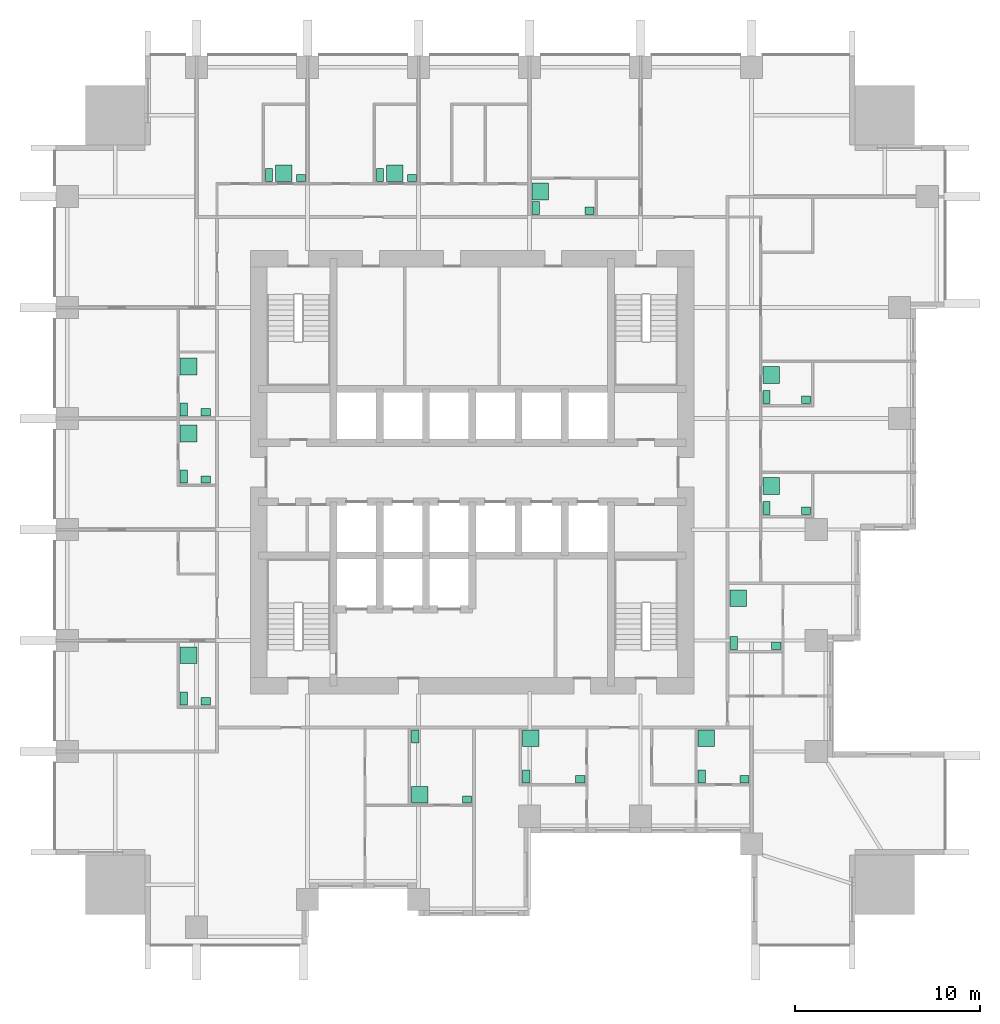
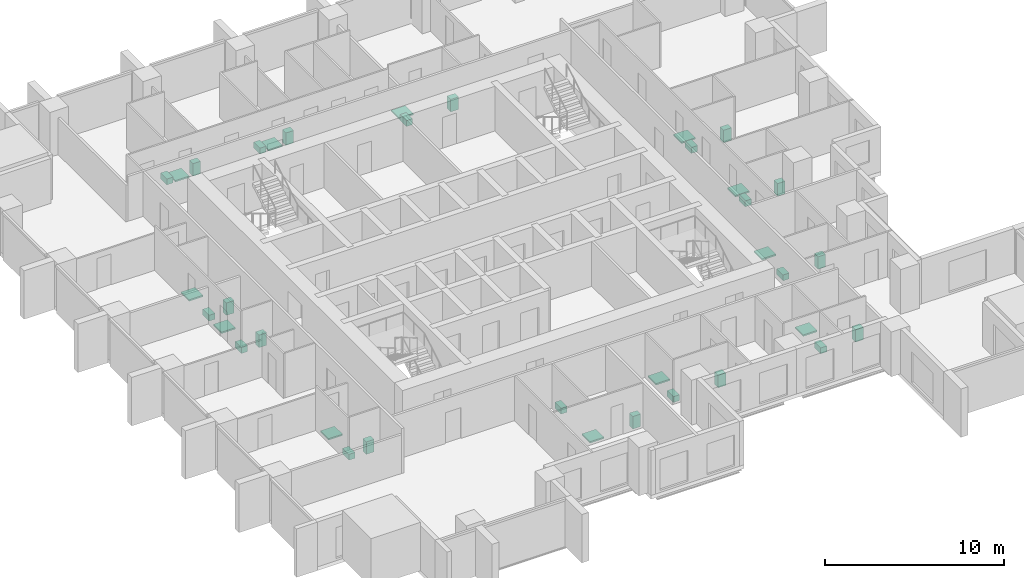
# One storey, part 10 of 10: 36 sanitary terminals.
"""IFC4 building model written with IfcOpenShell, lengths in metres."""

import ifcopenshell
import ifcopenshell.guid

model = None  # the IFC model being written
_history = None  # IfcOwnerHistory: only IFC2X3 demands one
_inside = {}  # id of a spatial element -> (the spatial element, [elements in it])
_under = {}  # id of a project, library or spatial element -> (it, [spatial elements below it])
_declared = {}  # id of a project -> (the project, [libraries it declares])
_typed = {}  # id of a type object -> (the type object, [elements of that type])
_made_of = {}  # id of a material, layer set ... -> (it, [elements and type objects made of it])


def new_model(schema):
    """Start an empty IFC model of exactly this schema.

    Asked for "IFC4X3", IfcOpenShell would pick the latest addendum, in which some entities
    have other attributes; the version numbers below select the first issue.
    IFC2X3 requires an IfcOwnerHistory on every rooted entity: one is made here for all.
    """
    global model, _history
    if schema == "IFC4X3":
        model = ifcopenshell.file(schema_version=(4, 3, 0, 0))
    else:
        model = ifcopenshell.file(schema=schema)
    _inside.clear()
    _under.clear()
    _declared.clear()
    _typed.clear()
    _made_of.clear()
    _history = None
    if model.schema == "IFC2X3":
        org = make("IfcOrganization", Name="unknown")
        user = make(
            "IfcPersonAndOrganization",
            ThePerson=make("IfcPerson", FamilyName="unknown"),
            TheOrganization=org,
        )
        app = make(
            "IfcApplication",
            ApplicationDeveloper=org,
            Version="unknown",
            ApplicationFullName="unknown",
            ApplicationIdentifier="unknown",
        )
        _history = make(
            "IfcOwnerHistory",
            OwningUser=user,
            OwningApplication=app,
            ChangeAction="ADDED",
            CreationDate=0,
        )
    return model


def make(cls, **values):
    """One entity of the class cls with the attributes given. An attribute that is None is left unset."""
    return model.create_entity(
        cls, **{name: value for name, value in values.items() if value is not None}
    )


def rooted(cls, **values):
    """An entity with a GlobalId (a new one), such as an element, a storey or a relation."""
    return make(cls, GlobalId=ifcopenshell.guid.new(), OwnerHistory=_history, **values)


def si_unit(unit_type, name, prefix=None):
    """IfcSIUnit, for example si_unit("LENGTHUNIT", "METRE", prefix="MILLI")."""
    return make("IfcSIUnit", UnitType=unit_type, Prefix=prefix, Name=name)


def assignment(units):
    """IfcUnitAssignment: the units of a project."""
    return None if units is None else make("IfcUnitAssignment", Units=units)


def point(xyz):
    """IfcCartesianPoint."""
    return None if xyz is None else make("IfcCartesianPoint", Coordinates=xyz)


def direction(xyz):
    """IfcDirection."""
    return None if xyz is None else make("IfcDirection", DirectionRatios=xyz)


def frame(location, z_axis=None, x_axis=None):
    """IfcAxis2Placement3D, a coordinate frame: its origin and axes. An axis left out is left unset."""
    return make(
        "IfcAxis2Placement3D",
        Location=point(location),
        Axis=direction(z_axis),
        RefDirection=direction(x_axis),
    )


def frame_2d(location, x_axis=None):
    """IfcAxis2Placement2D, a coordinate frame in the plane: its origin and x axis."""
    return make(
        "IfcAxis2Placement2D", Location=point(location), RefDirection=direction(x_axis)
    )


def origin():
    """The frame at (0, 0, 0) with its axes left unset."""
    return frame((0.0, 0.0, 0.0))


def origin_2d():
    """The frame at (0, 0) in the plane with its x axis left unset."""
    return frame_2d((0.0, 0.0))


def place(relative_to, where):
    """IfcLocalPlacement: puts the frame where relative to a parent placement (None: the world)."""
    return make(
        "IfcLocalPlacement", PlacementRelTo=relative_to, RelativePlacement=where
    )


def context(
    kind, dimensions, precision=None, world=None, true_north=None, identifier=None
):
    """IfcGeometricRepresentationContext, for example the 3D "Model" context."""
    return make(
        "IfcGeometricRepresentationContext",
        ContextIdentifier=identifier,
        ContextType=kind,
        CoordinateSpaceDimension=dimensions,
        Precision=precision,
        WorldCoordinateSystem=world,
        TrueNorth=true_north,
    )


def subcontext(parent, identifier, kind, view, scale=None):
    """IfcGeometricRepresentationSubContext, for example "Body" below "Model"."""
    return make(
        "IfcGeometricRepresentationSubContext",
        ContextIdentifier=identifier,
        ContextType=kind,
        ParentContext=parent,
        TargetScale=scale,
        TargetView=view,
    )


def project(units=None, contexts=None):
    """IfcProject with its units and contexts."""
    return rooted(
        "IfcProject",
        Name="project",
        RepresentationContexts=contexts,
        UnitsInContext=assignment(units),
    )


def spatial(cls, under=None, at=None, **own):
    """A site, building, storey or space (cls), placed at a placement, below another one or the project."""
    s = rooted(cls, ObjectPlacement=at, **own)
    if under is not None:
        _under.setdefault(under.id(), (under, []))[1].append(s)
    return s


def profile(cls, at=None, kind="AREA", **sizes):
    """A parametric profile (cls). Its sizes go by their IFC names, for example OverallWidth=200.0."""
    return make(cls, ProfileType=kind, Position=at, **sizes)


def rectangle(**sizes):
    """IfcRectangleProfileDef."""
    return profile("IfcRectangleProfileDef", **sizes)


def extrude(swept, where, along, depth):
    """IfcExtrudedAreaSolid: the profile swept, set in the frame where, extruded along a direction by depth."""
    return make(
        "IfcExtrudedAreaSolid",
        SweptArea=swept,
        Position=where,
        ExtrudedDirection=direction(along),
        Depth=depth,
    )


def shape(context_of_items, identifier, shape_type, items):
    """IfcShapeRepresentation: the items that make up one representation, for example the "Body"."""
    return make(
        "IfcShapeRepresentation",
        ContextOfItems=context_of_items,
        RepresentationIdentifier=identifier,
        RepresentationType=shape_type,
        Items=items,
    )


def made_of(thing, what):
    """Note that an element or type object is made of a material, layer set ...; save() writes the relation."""
    if what is not None:
        _made_of.setdefault(what.id(), (what, []))[1].append(thing)
    return thing


def element(
    cls,
    number,
    at=None,
    inside=None,
    cuts=None,
    type_object=None,
    material=None,
    context=None,
    identifier="Body",
    shape_type=None,
    held_by="IfcProductDefinitionShape",
    body=None,
    shapes=None,
    **own,
):
    """One element of the class cls, such as IfcWall. Its Tag is "e" and its number.

    at: its placement. inside: the storey or other place that contains it. cuts: it is an
    opening in that element (IfcRelVoidsElement). A single representation is given by context,
    identifier, shape_type and body (its items); several are given by shapes. held_by: the class
    of the entity that holds the representations. save() writes the other relations.
    """
    e = rooted(cls, Tag="e%d" % number, ObjectPlacement=at, **own)
    if body is not None:
        shapes = [shape(context, identifier, shape_type, body)]
    if shapes is not None:
        e.Representation = make(held_by, Representations=shapes)
    if inside is not None:
        _inside.setdefault(inside.id(), (inside, []))[1].append(e)
    if cuts is not None:
        rooted(
            "IfcRelVoidsElement", RelatingBuildingElement=cuts, RelatedOpeningElement=e
        )
    if type_object is not None:
        _typed.setdefault(type_object.id(), (type_object, []))[1].append(e)
    return made_of(e, material)


def aggregate(whole, parts):
    """IfcRelAggregates: a whole, such as a stair, and the parts it consists of."""
    return rooted("IfcRelAggregates", RelatingObject=whole, RelatedObjects=parts)


def save(model, path):
    """Write the relations noted so far, then the file.

    IfcRelAggregates (storeys below a building ...), IfcRelContainedInSpatialStructure (elements
    in a storey), IfcRelDefinesByType, IfcRelAssociatesMaterial and IfcRelDeclares: one each for
    every whole, place, type object, material and project.
    """
    for whole, parts in _under.values():
        aggregate(whole, parts)
    for where, things in _inside.values():
        rooted(
            "IfcRelContainedInSpatialStructure",
            RelatedElements=things,
            RelatingStructure=where,
        )
    for kind, things in _typed.values():
        rooted("IfcRelDefinesByType", RelatedObjects=things, RelatingType=kind)
    for what, things in _made_of.values():
        rooted("IfcRelAssociatesMaterial", RelatedObjects=things, RelatingMaterial=what)
    for by, libraries in _declared.values():
        rooted("IfcRelDeclares", RelatingContext=by, RelatedDefinitions=libraries)
    model.write(path)


model = new_model("IFC4")

# Units and contexts
model_context = context("Model", 3, precision=1e-05, world=origin(), true_north=direction((0.0, 1.0)))
body_context = subcontext(model_context, "Body", "Model", "MODEL_VIEW")
ifc_project = project(units=[si_unit("LENGTHUNIT", "METRE"), si_unit("AREAUNIT", "SQUARE_METRE"), si_unit("VOLUMEUNIT", "CUBIC_METRE"), si_unit("PLANEANGLEUNIT", "RADIAN"), si_unit("MASSUNIT", "GRAM", prefix="KILO")], contexts=[model_context])

# Site, building, storey
site_placement = place(None, origin())
site = spatial("IfcSite", under=ifc_project, at=site_placement, CompositionType="ELEMENT")
building_placement = place(site_placement, origin())
building = spatial("IfcBuilding", under=site, at=building_placement, Name="Amberfall Residences", CompositionType="ELEMENT")
storey_placement = place(building_placement, frame((0.0, 0.0, 49.89990234375)))
storey = spatial("IfcBuildingStorey", under=building, at=storey_placement, Name="L13", CompositionType="ELEMENT", Elevation=49.89990234375)

# Sanitary terminals
sanitary_terminal_1_placement = place(storey_placement, frame((71.409912109375, 31.215087890625, 0.000244140625), z_axis=(0.0, 0.0, 1.0), x_axis=(1.0, 0.0, 0.0)))
element("IfcSanitaryTerminal", 1, at=sanitary_terminal_1_placement, inside=storey, Name="Water closet 1301", PredefinedType="TOILETPAN", context=body_context, shape_type="SweptSolid", body=[
    extrude(rectangle(XDim=0.39990234375, YDim=0.699951171875, at=origin_2d()), origin(), (0.0, 0.0, 1.0), 0.39990234375),
])
sanitary_terminal_2_placement = place(storey_placement, frame((74.215087890625, 27.81005859375, 0.0), z_axis=(0.0, 0.0, 1.0), x_axis=(1.0, 0.0, 0.0)))
element("IfcSanitaryTerminal", 2, at=sanitary_terminal_2_placement, inside=storey, Name="Basin 1301", PredefinedType="WASHHANDBASIN", context=body_context, shape_type="SweptSolid", body=[
    extrude(rectangle(XDim=0.5, YDim=0.39990234375, at=origin_2d()), origin(), (0.0, 0.0, 1.0), 0.85009765625),
])
sanitary_terminal_3_placement = place(storey_placement, frame((71.659912109375, 28.06005859375, 0.0), z_axis=(0.0, 0.0, 1.0), x_axis=(1.0, 0.0, 0.0)))
element("IfcSanitaryTerminal", 3, at=sanitary_terminal_3_placement, inside=storey, Name="Shower tray 1301", PredefinedType="SHOWER", context=body_context, shape_type="SweptSolid", body=[
    extrude(rectangle(XDim=0.89990234375, YDim=0.89990234375, at=origin_2d()), origin(), (0.0, 0.0, 1.0), 0.10009765625),
])
sanitary_terminal_4_placement = place(storey_placement, frame((77.409912109375, 29.06005859375, 0.000244140625), z_axis=(0.0, 0.0, 1.0), x_axis=(1.0, 0.0, 0.0)))
element("IfcSanitaryTerminal", 4, at=sanitary_terminal_4_placement, inside=storey, Name="Water closet 1302", PredefinedType="TOILETPAN", context=body_context, shape_type="SweptSolid", body=[
    extrude(rectangle(XDim=0.39990234375, YDim=0.699951171875, at=origin_2d()), origin(), (0.0, 0.0, 1.0), 0.39990234375),
])
sanitary_terminal_5_placement = place(storey_placement, frame((80.340087890625, 28.909912109375, 0.0), z_axis=(0.0, 0.0, 1.0), x_axis=(1.0, 0.0, 0.0)))
element("IfcSanitaryTerminal", 5, at=sanitary_terminal_5_placement, inside=storey, Name="Basin 1302", PredefinedType="WASHHANDBASIN", context=body_context, shape_type="SweptSolid", body=[
    extrude(rectangle(XDim=0.5, YDim=0.39990234375, at=origin_2d()), origin(), (0.0, 0.0, 1.0), 0.85009765625),
])
sanitary_terminal_6_placement = place(storey_placement, frame((77.659912109375, 31.114990234375, 0.0), z_axis=(0.0, 0.0, 1.0), x_axis=(1.0, 0.0, 0.0)))
element("IfcSanitaryTerminal", 6, at=sanitary_terminal_6_placement, inside=storey, Name="Shower tray 1302", PredefinedType="SHOWER", context=body_context, shape_type="SweptSolid", body=[
    extrude(rectangle(XDim=0.89990234375, YDim=0.89990234375, at=origin_2d()), origin(), (0.0, 0.0, 1.0), 0.10009765625),
])
sanitary_terminal_7_placement = place(storey_placement, frame((86.909912109375, 29.06005859375, 0.000244140625), z_axis=(0.0, 0.0, 1.0), x_axis=(1.0, 0.0, 0.0)))
element("IfcSanitaryTerminal", 7, at=sanitary_terminal_7_placement, inside=storey, Name="Water closet 1302", PredefinedType="TOILETPAN", context=body_context, shape_type="SweptSolid", body=[
    extrude(rectangle(XDim=0.39990234375, YDim=0.699951171875, at=origin_2d()), origin(), (0.0, 0.0, 1.0), 0.39990234375),
])
sanitary_terminal_8_placement = place(storey_placement, frame((89.215087890625, 28.909912109375, 0.0), z_axis=(0.0, 0.0, 1.0), x_axis=(1.0, 0.0, 0.0)))
element("IfcSanitaryTerminal", 8, at=sanitary_terminal_8_placement, inside=storey, Name="Basin 1302", PredefinedType="WASHHANDBASIN", context=body_context, shape_type="SweptSolid", body=[
    extrude(rectangle(XDim=0.5, YDim=0.39990234375, at=origin_2d()), origin(), (0.0, 0.0, 1.0), 0.85009765625),
])
sanitary_terminal_9_placement = place(storey_placement, frame((87.159912109375, 31.114990234375, 0.0), z_axis=(0.0, 0.0, 1.0), x_axis=(1.0, 0.0, 0.0)))
element("IfcSanitaryTerminal", 9, at=sanitary_terminal_9_placement, inside=storey, Name="Shower tray 1302", PredefinedType="SHOWER", context=body_context, shape_type="SweptSolid", body=[
    extrude(rectangle(XDim=0.89990234375, YDim=0.89990234375, at=origin_2d()), origin(), (0.0, 0.0, 1.0), 0.10009765625),
])
sanitary_terminal_10_placement = place(storey_placement, frame((88.635009765625, 36.260009765625, 0.000244140625), z_axis=(0.0, 0.0, 1.0), x_axis=(1.0, 0.0, 0.0)))
element("IfcSanitaryTerminal", 10, at=sanitary_terminal_10_placement, inside=storey, Name="Water closet 1303", PredefinedType="TOILETPAN", context=body_context, shape_type="SweptSolid", body=[
    extrude(rectangle(XDim=0.39990234375, YDim=0.699951171875, at=origin_2d()), origin(), (0.0, 0.0, 1.0), 0.39990234375),
])
sanitary_terminal_11_placement = place(storey_placement, frame((90.93994140625, 36.110107421875, 0.0), z_axis=(0.0, 0.0, 1.0), x_axis=(1.0, 0.0, 0.0)))
element("IfcSanitaryTerminal", 11, at=sanitary_terminal_11_placement, inside=storey, Name="Basin 1303", PredefinedType="WASHHANDBASIN", context=body_context, shape_type="SweptSolid", body=[
    extrude(rectangle(XDim=0.5, YDim=0.39990234375, at=origin_2d()), origin(), (0.0, 0.0, 1.0), 0.85009765625),
])
sanitary_terminal_12_placement = place(storey_placement, frame((88.885009765625, 38.6826171875, 0.0), z_axis=(0.0, 0.0, 1.0), x_axis=(1.0, 0.0, 0.0)))
element("IfcSanitaryTerminal", 12, at=sanitary_terminal_12_placement, inside=storey, Name="Shower tray 1303", PredefinedType="SHOWER", context=body_context, shape_type="SweptSolid", body=[
    extrude(rectangle(XDim=0.89990234375, YDim=0.89990234375, at=origin_2d()), origin(), (0.0, 0.0, 1.0), 0.10009765625),
])
sanitary_terminal_13_placement = place(storey_placement, frame((90.409912109375, 43.56005859375, 0.000244140625), z_axis=(0.0, 0.0, 1.0), x_axis=(1.0, 0.0, 0.0)))
element("IfcSanitaryTerminal", 13, at=sanitary_terminal_13_placement, inside=storey, Name="Water closet 1304", PredefinedType="TOILETPAN", context=body_context, shape_type="SweptSolid", body=[
    extrude(rectangle(XDim=0.39990234375, YDim=0.699951171875, at=origin_2d()), origin(), (0.0, 0.0, 1.0), 0.39990234375),
])
sanitary_terminal_14_placement = place(storey_placement, frame((92.5400390625, 43.409912109375, 0.0), z_axis=(0.0, 0.0, 1.0), x_axis=(1.0, 0.0, 0.0)))
element("IfcSanitaryTerminal", 14, at=sanitary_terminal_14_placement, inside=storey, Name="Basin 1304", PredefinedType="WASHHANDBASIN", context=body_context, shape_type="SweptSolid", body=[
    extrude(rectangle(XDim=0.5, YDim=0.39990234375, at=origin_2d()), origin(), (0.0, 0.0, 1.0), 0.85009765625),
])
sanitary_terminal_15_placement = place(storey_placement, frame((90.659912109375, 44.757080078125, 0.0), z_axis=(0.0, 0.0, 1.0), x_axis=(1.0, 0.0, 0.0)))
element("IfcSanitaryTerminal", 15, at=sanitary_terminal_15_placement, inside=storey, Name="Shower tray 1304", PredefinedType="SHOWER", context=body_context, shape_type="SweptSolid", body=[
    extrude(rectangle(XDim=0.89990234375, YDim=0.89990234375, at=origin_2d()), origin(), (0.0, 0.0, 1.0), 0.10009765625),
])
sanitary_terminal_16_placement = place(storey_placement, frame((90.409912109375, 49.56005859375, 0.000244140625), z_axis=(0.0, 0.0, 1.0), x_axis=(1.0, 0.0, 0.0)))
element("IfcSanitaryTerminal", 16, at=sanitary_terminal_16_placement, inside=storey, Name="Water closet 1304", PredefinedType="TOILETPAN", context=body_context, shape_type="SweptSolid", body=[
    extrude(rectangle(XDim=0.39990234375, YDim=0.699951171875, at=origin_2d()), origin(), (0.0, 0.0, 1.0), 0.39990234375),
])
sanitary_terminal_17_placement = place(storey_placement, frame((92.5400390625, 49.409912109375, 0.0), z_axis=(0.0, 0.0, 1.0), x_axis=(1.0, 0.0, 0.0)))
element("IfcSanitaryTerminal", 17, at=sanitary_terminal_17_placement, inside=storey, Name="Basin 1304", PredefinedType="WASHHANDBASIN", context=body_context, shape_type="SweptSolid", body=[
    extrude(rectangle(XDim=0.5, YDim=0.39990234375, at=origin_2d()), origin(), (0.0, 0.0, 1.0), 0.85009765625),
])
sanitary_terminal_18_placement = place(storey_placement, frame((90.659912109375, 50.757080078125, 0.0), z_axis=(0.0, 0.0, 1.0), x_axis=(1.0, 0.0, 0.0)))
element("IfcSanitaryTerminal", 18, at=sanitary_terminal_18_placement, inside=storey, Name="Shower tray 1304", PredefinedType="SHOWER", context=body_context, shape_type="SweptSolid", body=[
    extrude(rectangle(XDim=0.89990234375, YDim=0.89990234375, at=origin_2d()), origin(), (0.0, 0.0, 1.0), 0.10009765625),
])
sanitary_terminal_19_placement = place(storey_placement, frame((63.510009765625, 61.56005859375, 0.000244140625), z_axis=(0.0, 0.0, 1.0), x_axis=(1.0, 0.0, 0.0)))
element("IfcSanitaryTerminal", 19, at=sanitary_terminal_19_placement, inside=storey, Name="Water closet 1305", PredefinedType="TOILETPAN", context=body_context, shape_type="SweptSolid", body=[
    extrude(rectangle(XDim=0.39990234375, YDim=0.699951171875, at=origin_2d()), origin(), (0.0, 0.0, 1.0), 0.39990234375),
])
sanitary_terminal_20_placement = place(storey_placement, frame((65.239990234375, 61.409912109375, 0.0), z_axis=(0.0, 0.0, 1.0), x_axis=(1.0, 0.0, 0.0)))
element("IfcSanitaryTerminal", 20, at=sanitary_terminal_20_placement, inside=storey, Name="Basin 1305", PredefinedType="WASHHANDBASIN", context=body_context, shape_type="SweptSolid", body=[
    extrude(rectangle(XDim=0.5, YDim=0.39990234375, at=origin_2d()), origin(), (0.0, 0.0, 1.0), 0.85009765625),
])
sanitary_terminal_21_placement = place(storey_placement, frame((64.30859375, 61.659912109375, 0.0), z_axis=(0.0, 0.0, 1.0), x_axis=(1.0, 0.0, 0.0)))
element("IfcSanitaryTerminal", 21, at=sanitary_terminal_21_placement, inside=storey, Name="Shower tray 1305", PredefinedType="SHOWER", context=body_context, shape_type="SweptSolid", body=[
    extrude(rectangle(XDim=0.89990234375, YDim=0.89990234375, at=origin_2d()), origin(), (0.0, 0.0, 1.0), 0.10009765625),
])
sanitary_terminal_22_placement = place(storey_placement, frame((69.510009765625, 61.56005859375, 0.000244140625), z_axis=(0.0, 0.0, 1.0), x_axis=(1.0, 0.0, 0.0)))
element("IfcSanitaryTerminal", 22, at=sanitary_terminal_22_placement, inside=storey, Name="Water closet 1305", PredefinedType="TOILETPAN", context=body_context, shape_type="SweptSolid", body=[
    extrude(rectangle(XDim=0.39990234375, YDim=0.699951171875, at=origin_2d()), origin(), (0.0, 0.0, 1.0), 0.39990234375),
])
sanitary_terminal_23_placement = place(storey_placement, frame((71.239990234375, 61.409912109375, 0.0), z_axis=(0.0, 0.0, 1.0), x_axis=(1.0, 0.0, 0.0)))
element("IfcSanitaryTerminal", 23, at=sanitary_terminal_23_placement, inside=storey, Name="Basin 1305", PredefinedType="WASHHANDBASIN", context=body_context, shape_type="SweptSolid", body=[
    extrude(rectangle(XDim=0.5, YDim=0.39990234375, at=origin_2d()), origin(), (0.0, 0.0, 1.0), 0.85009765625),
])
sanitary_terminal_24_placement = place(storey_placement, frame((70.30859375, 61.659912109375, 0.0), z_axis=(0.0, 0.0, 1.0), x_axis=(1.0, 0.0, 0.0)))
element("IfcSanitaryTerminal", 24, at=sanitary_terminal_24_placement, inside=storey, Name="Shower tray 1305", PredefinedType="SHOWER", context=body_context, shape_type="SweptSolid", body=[
    extrude(rectangle(XDim=0.89990234375, YDim=0.89990234375, at=origin_2d()), origin(), (0.0, 0.0, 1.0), 0.10009765625),
])
sanitary_terminal_25_placement = place(storey_placement, frame((77.93505859375, 59.784912109375, 0.000244140625), z_axis=(0.0, 0.0, 1.0), x_axis=(1.0, 0.0, 0.0)))
element("IfcSanitaryTerminal", 25, at=sanitary_terminal_25_placement, inside=storey, Name="Water closet 1306", PredefinedType="TOILETPAN", context=body_context, shape_type="SweptSolid", body=[
    extrude(rectangle(XDim=0.39990234375, YDim=0.699951171875, at=origin_2d()), origin(), (0.0, 0.0, 1.0), 0.39990234375),
])
sanitary_terminal_26_placement = place(storey_placement, frame((80.840087890625, 59.635009765625, 0.0), z_axis=(0.0, 0.0, 1.0), x_axis=(1.0, 0.0, 0.0)))
element("IfcSanitaryTerminal", 26, at=sanitary_terminal_26_placement, inside=storey, Name="Basin 1306", PredefinedType="WASHHANDBASIN", context=body_context, shape_type="SweptSolid", body=[
    extrude(rectangle(XDim=0.5, YDim=0.39990234375, at=origin_2d()), origin(), (0.0, 0.0, 1.0), 0.85009765625),
])
sanitary_terminal_27_placement = place(storey_placement, frame((78.18505859375, 60.680908203125, 0.0), z_axis=(0.0, 0.0, 1.0), x_axis=(1.0, 0.0, 0.0)))
element("IfcSanitaryTerminal", 27, at=sanitary_terminal_27_placement, inside=storey, Name="Shower tray 1306", PredefinedType="SHOWER", context=body_context, shape_type="SweptSolid", body=[
    extrude(rectangle(XDim=0.89990234375, YDim=0.89990234375, at=origin_2d()), origin(), (0.0, 0.0, 1.0), 0.10009765625),
])
sanitary_terminal_28_placement = place(storey_placement, frame((58.909912109375, 33.260009765625, 0.000244140625), z_axis=(0.0, 0.0, 1.0), x_axis=(1.0, 0.0, 0.0)))
element("IfcSanitaryTerminal", 28, at=sanitary_terminal_28_placement, inside=storey, Name="Water closet 1307", PredefinedType="TOILETPAN", context=body_context, shape_type="SweptSolid", body=[
    extrude(rectangle(XDim=0.39990234375, YDim=0.699951171875, at=origin_2d()), origin(), (0.0, 0.0, 1.0), 0.39990234375),
])
sanitary_terminal_29_placement = place(storey_placement, frame((60.089111328125, 33.110107421875, 0.0), z_axis=(0.0, 0.0, 1.0), x_axis=(1.0, 0.0, 0.0)))
element("IfcSanitaryTerminal", 29, at=sanitary_terminal_29_placement, inside=storey, Name="Basin 1307", PredefinedType="WASHHANDBASIN", context=body_context, shape_type="SweptSolid", body=[
    extrude(rectangle(XDim=0.5, YDim=0.39990234375, at=origin_2d()), origin(), (0.0, 0.0, 1.0), 0.85009765625),
])
sanitary_terminal_30_placement = place(storey_placement, frame((59.159912109375, 35.614501953125, 0.0), z_axis=(0.0, 0.0, 1.0), x_axis=(1.0, 0.0, 0.0)))
element("IfcSanitaryTerminal", 30, at=sanitary_terminal_30_placement, inside=storey, Name="Shower tray 1307", PredefinedType="SHOWER", context=body_context, shape_type="SweptSolid", body=[
    extrude(rectangle(XDim=0.89990234375, YDim=0.89990234375, at=origin_2d()), origin(), (0.0, 0.0, 1.0), 0.10009765625),
])
sanitary_terminal_31_placement = place(storey_placement, frame((58.909912109375, 45.260009765625, 0.000244140625), z_axis=(0.0, 0.0, 1.0), x_axis=(1.0, 0.0, 0.0)))
element("IfcSanitaryTerminal", 31, at=sanitary_terminal_31_placement, inside=storey, Name="Water closet 1307", PredefinedType="TOILETPAN", context=body_context, shape_type="SweptSolid", body=[
    extrude(rectangle(XDim=0.39990234375, YDim=0.699951171875, at=origin_2d()), origin(), (0.0, 0.0, 1.0), 0.39990234375),
])
sanitary_terminal_32_placement = place(storey_placement, frame((60.089111328125, 45.110107421875, 0.0), z_axis=(0.0, 0.0, 1.0), x_axis=(1.0, 0.0, 0.0)))
element("IfcSanitaryTerminal", 32, at=sanitary_terminal_32_placement, inside=storey, Name="Basin 1307", PredefinedType="WASHHANDBASIN", context=body_context, shape_type="SweptSolid", body=[
    extrude(rectangle(XDim=0.5, YDim=0.39990234375, at=origin_2d()), origin(), (0.0, 0.0, 1.0), 0.85009765625),
])
sanitary_terminal_33_placement = place(storey_placement, frame((59.159912109375, 47.591796875, 0.0), z_axis=(0.0, 0.0, 1.0), x_axis=(1.0, 0.0, 0.0)))
element("IfcSanitaryTerminal", 33, at=sanitary_terminal_33_placement, inside=storey, Name="Shower tray 1307", PredefinedType="SHOWER", context=body_context, shape_type="SweptSolid", body=[
    extrude(rectangle(XDim=0.89990234375, YDim=0.89990234375, at=origin_2d()), origin(), (0.0, 0.0, 1.0), 0.10009765625),
])
sanitary_terminal_34_placement = place(storey_placement, frame((58.909912109375, 48.885009765625, 0.000244140625), z_axis=(0.0, 0.0, 1.0), x_axis=(1.0, 0.0, 0.0)))
element("IfcSanitaryTerminal", 34, at=sanitary_terminal_34_placement, inside=storey, Name="Water closet 1308", PredefinedType="TOILETPAN", context=body_context, shape_type="SweptSolid", body=[
    extrude(rectangle(XDim=0.39990234375, YDim=0.699951171875, at=origin_2d()), origin(), (0.0, 0.0, 1.0), 0.39990234375),
])
sanitary_terminal_35_placement = place(storey_placement, frame((60.089111328125, 48.735107421875, 0.0), z_axis=(0.0, 0.0, 1.0), x_axis=(1.0, 0.0, 0.0)))
element("IfcSanitaryTerminal", 35, at=sanitary_terminal_35_placement, inside=storey, Name="Basin 1308", PredefinedType="WASHHANDBASIN", context=body_context, shape_type="SweptSolid", body=[
    extrude(rectangle(XDim=0.5, YDim=0.39990234375, at=origin_2d()), origin(), (0.0, 0.0, 1.0), 0.85009765625),
])
sanitary_terminal_36_placement = place(storey_placement, frame((59.159912109375, 51.216796875, 0.0), z_axis=(0.0, 0.0, 1.0), x_axis=(1.0, 0.0, 0.0)))
element("IfcSanitaryTerminal", 36, at=sanitary_terminal_36_placement, inside=storey, Name="Shower tray 1308", PredefinedType="SHOWER", context=body_context, shape_type="SweptSolid", body=[
    extrude(rectangle(XDim=0.89990234375, YDim=0.89990234375, at=origin_2d()), origin(), (0.0, 0.0, 1.0), 0.10009765625),
])

save(model, "model.ifc")
